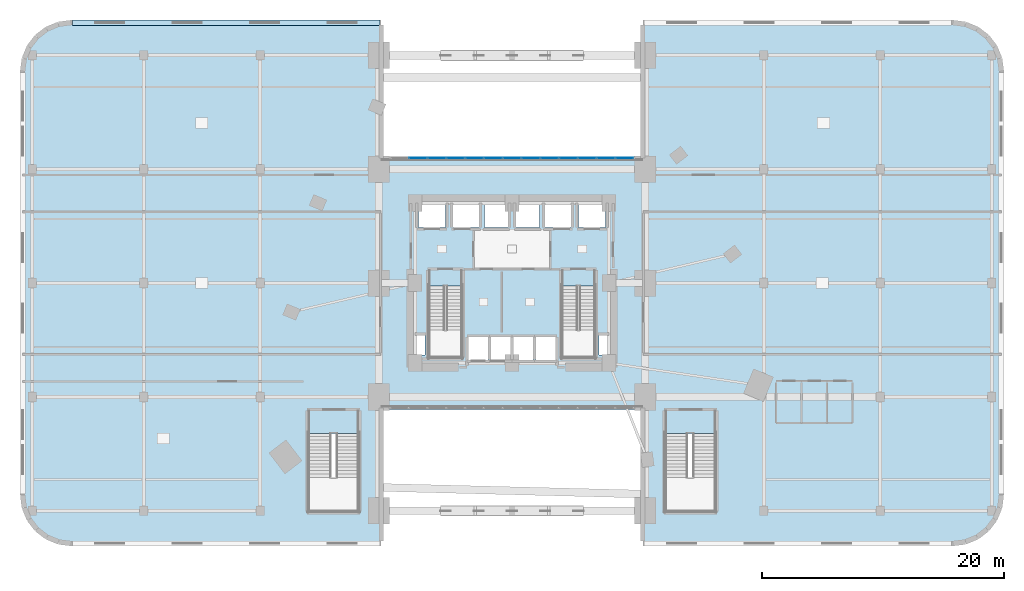
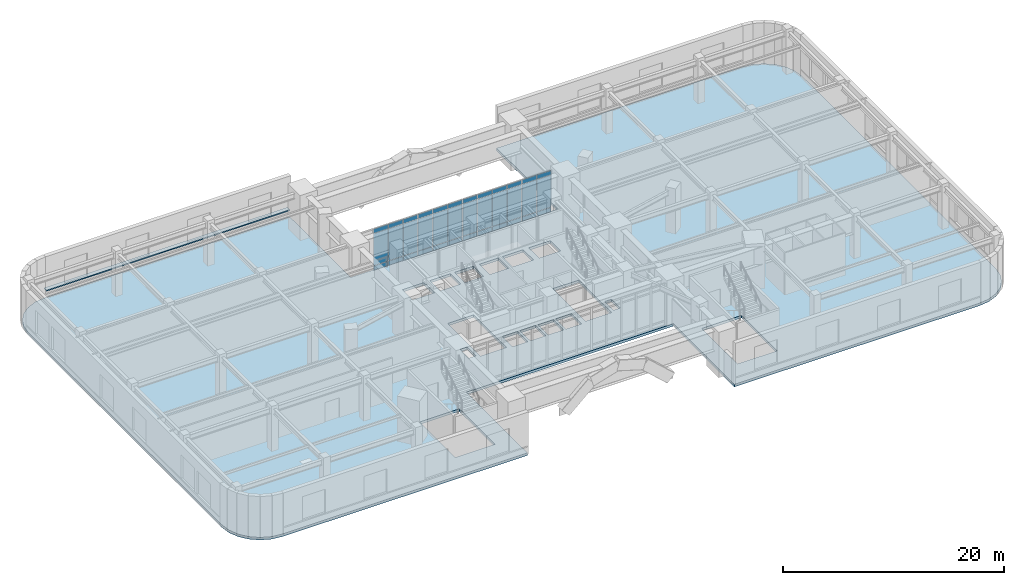
# One storey, part 17 of 25: 37 plates, 1 slab, 1 element without a shape of its own.
"""IFC4 building model written with IfcOpenShell, lengths in metres."""

from ifc_helpers import new_model, si_unit, direction, frame, origin, origin_2d, place, context, subcontext, project, spatial, polyline, rectangle, outline, extrude, material, layer, layer_set, type_object, element, aggregate, save


model = new_model("IFC4")

# Units and contexts
model_context = context("Model", 3, precision=1e-05, world=origin(), true_north=direction((0.0, 1.0)))
body_context = subcontext(model_context, "Body", "Model", "MODEL_VIEW")
ifc_project = project(units=[si_unit("LENGTHUNIT", "METRE"), si_unit("AREAUNIT", "SQUARE_METRE"), si_unit("VOLUMEUNIT", "CUBIC_METRE"), si_unit("PLANEANGLEUNIT", "RADIAN"), si_unit("MASSUNIT", "GRAM", prefix="KILO")], contexts=[model_context])

# Site, building, storey
site_placement = place(None, origin())
site = spatial("IfcSite", under=ifc_project, at=site_placement, CompositionType="ELEMENT")
building_placement = place(site_placement, origin())
building = spatial("IfcBuilding", under=site, at=building_placement, Name="Ndelora Gate Hotel", CompositionType="ELEMENT")
storey_placement = place(building_placement, frame((0.0, 0.0, 11.0)))
storey = spatial("IfcBuildingStorey", under=building, at=storey_placement, Name="L02", CompositionType="ELEMENT", Elevation=11.0)

# Curtain wall, plates
ifc_material_1 = material(Name="Bronze Anodised Unitised Aluminium and Low-E Glass", Category="aluminium")
ifc_layer_1 = layer(ifc_material_1, 0.239990234375)
ifc_layer_set_1 = layer_set([ifc_layer_1], Name="Bronze Anodised Unitised Aluminium and Low-E Glass")
curtain_wall_type = type_object("IfcCurtainWallType", Name="CW-SYS-1", PredefinedType="NOTDEFINED", material=ifc_layer_set_1)
curtain_wall_placement = place(storey_placement, origin())
curtain_wall = element("IfcCurtainWall", 1, at=curtain_wall_placement, inside=storey, type_object=curtain_wall_type, Name="L02 North Portal Arch Concourse Curtain Wall CW1", PredefinedType="NOTDEFINED")
ifc_material_2 = material(Name="Solar-Control Low-E Insulated Glazing", Category="glass")
ifc_layer_2 = layer(ifc_material_2, 0.048095703125)
ifc_layer_set_2 = layer_set([ifc_layer_2], Name="Solar-Control Low-E Insulated Glazing")
plate_type_1 = type_object("IfcPlateType", Name="PL-CW-GLZ36", PredefinedType="CURTAIN_PANEL", material=ifc_layer_set_2)
plate_1_placement = place(storey_placement, frame((9.287109375, 10.320068359375, 0.05908203125), z_axis=(0.0, 0.0, 1.0), x_axis=(-1.0, 0.0, 0.0)))
plate_1 = element("IfcPlate", 2, at=plate_1_placement, type_object=plate_type_1, Name="CW1 panel 1.1", PredefinedType="CURTAIN_PANEL", context=body_context, shape_type="SweptSolid", body=[
    extrude(rectangle(XDim=1.457763671875, YDim=0.048095703125, at=origin_2d()), origin(), (0.0, 0.0, 1.0), 0.464599609375),
])
plate_2_placement = place(storey_placement, frame((9.287109375, 10.320068359375, 0.57666015625), z_axis=(0.0, 0.0, 1.0), x_axis=(-1.0, 0.0, 0.0)))
plate_2 = element("IfcPlate", 3, at=plate_2_placement, type_object=plate_type_1, Name="CW1 panel 1.2", PredefinedType="CURTAIN_PANEL", context=body_context, shape_type="SweptSolid", body=[
    extrude(rectangle(XDim=1.457763671875, YDim=0.048095703125, at=origin_2d()), origin(), (0.0, 0.0, 1.0), 3.507080078125),
])
plate_3_placement = place(storey_placement, frame((9.287109375, 10.320068359375, 4.13623046875), z_axis=(0.0, 0.0, 1.0), x_axis=(-1.0, 0.0, 0.0)))
plate_3 = element("IfcPlate", 4, at=plate_3_placement, type_object=plate_type_1, Name="CW1 panel 1.3", PredefinedType="CURTAIN_PANEL", context=body_context, shape_type="SweptSolid", body=[
    extrude(rectangle(XDim=1.457763671875, YDim=0.048095703125, at=origin_2d()), origin(), (0.0, 0.0, 1.0), 0.464599609375),
])
plate_4_placement = place(storey_placement, frame((7.75390625, 10.320068359375, 0.05908203125), z_axis=(0.0, 0.0, 1.0), x_axis=(-1.0, 0.0, 0.0)))
plate_4 = element("IfcPlate", 5, at=plate_4_placement, type_object=plate_type_1, Name="CW1 panel 2.1", PredefinedType="CURTAIN_PANEL", context=body_context, shape_type="SweptSolid", body=[
    extrude(rectangle(XDim=1.49267578125, YDim=0.048095703125, at=origin_2d()), origin(), (0.0, 0.0, 1.0), 0.464599609375),
])
plate_5_placement = place(storey_placement, frame((7.75390625, 10.320068359375, 0.57666015625), z_axis=(0.0, 0.0, 1.0), x_axis=(-1.0, 0.0, 0.0)))
plate_5 = element("IfcPlate", 6, at=plate_5_placement, type_object=plate_type_1, Name="CW1 panel 2.2", PredefinedType="CURTAIN_PANEL", context=body_context, shape_type="SweptSolid", body=[
    extrude(rectangle(XDim=1.49267578125, YDim=0.048095703125, at=origin_2d()), origin(), (0.0, 0.0, 1.0), 3.507080078125),
])
plate_6_placement = place(storey_placement, frame((7.75390625, 10.320068359375, 4.13623046875), z_axis=(0.0, 0.0, 1.0), x_axis=(-1.0, 0.0, 0.0)))
plate_6 = element("IfcPlate", 7, at=plate_6_placement, type_object=plate_type_1, Name="CW1 panel 2.3", PredefinedType="CURTAIN_PANEL", context=body_context, shape_type="SweptSolid", body=[
    extrude(rectangle(XDim=1.49267578125, YDim=0.048095703125, at=origin_2d()), origin(), (0.0, 0.0, 1.0), 0.464599609375),
])
plate_7_placement = place(storey_placement, frame((6.203125, 10.320068359375, 0.05908203125), z_axis=(0.0, 0.0, 1.0), x_axis=(-1.0, 0.0, 0.0)))
plate_7 = element("IfcPlate", 8, at=plate_7_placement, type_object=plate_type_1, Name="CW1 panel 3.1", PredefinedType="CURTAIN_PANEL", context=body_context, shape_type="SweptSolid", body=[
    extrude(rectangle(XDim=1.49267578125, YDim=0.048095703125, at=origin_2d()), origin(), (0.0, 0.0, 1.0), 0.464599609375),
])
plate_8_placement = place(storey_placement, frame((6.203125, 10.320068359375, 0.57666015625), z_axis=(0.0, 0.0, 1.0), x_axis=(-1.0, 0.0, 0.0)))
plate_8 = element("IfcPlate", 9, at=plate_8_placement, type_object=plate_type_1, Name="CW1 panel 3.2", PredefinedType="CURTAIN_PANEL", context=body_context, shape_type="SweptSolid", body=[
    extrude(rectangle(XDim=1.49267578125, YDim=0.048095703125, at=origin_2d()), origin(), (0.0, 0.0, 1.0), 3.507080078125),
])
plate_9_placement = place(storey_placement, frame((6.203125, 10.320068359375, 4.13623046875), z_axis=(0.0, 0.0, 1.0), x_axis=(-1.0, 0.0, 0.0)))
plate_9 = element("IfcPlate", 10, at=plate_9_placement, type_object=plate_type_1, Name="CW1 panel 3.3", PredefinedType="CURTAIN_PANEL", context=body_context, shape_type="SweptSolid", body=[
    extrude(rectangle(XDim=1.49267578125, YDim=0.048095703125, at=origin_2d()), origin(), (0.0, 0.0, 1.0), 0.464599609375),
])
plate_10_placement = place(storey_placement, frame((4.65234375, 10.320068359375, 0.05908203125), z_axis=(0.0, 0.0, 1.0), x_axis=(-1.0, 0.0, 0.0)))
plate_10 = element("IfcPlate", 11, at=plate_10_placement, type_object=plate_type_1, Name="CW1 panel 4.1", PredefinedType="CURTAIN_PANEL", context=body_context, shape_type="SweptSolid", body=[
    extrude(rectangle(XDim=1.49267578125, YDim=0.048095703125, at=origin_2d()), origin(), (0.0, 0.0, 1.0), 0.464599609375),
])
plate_11_placement = place(storey_placement, frame((4.65234375, 10.320068359375, 0.57666015625), z_axis=(0.0, 0.0, 1.0), x_axis=(-1.0, 0.0, 0.0)))
plate_11 = element("IfcPlate", 12, at=plate_11_placement, type_object=plate_type_1, Name="CW1 panel 4.2", PredefinedType="CURTAIN_PANEL", context=body_context, shape_type="SweptSolid", body=[
    extrude(rectangle(XDim=1.49267578125, YDim=0.048095703125, at=origin_2d()), origin(), (0.0, 0.0, 1.0), 3.507080078125),
])
plate_12_placement = place(storey_placement, frame((4.65234375, 10.320068359375, 4.13623046875), z_axis=(0.0, 0.0, 1.0), x_axis=(-1.0, 0.0, 0.0)))
plate_12 = element("IfcPlate", 13, at=plate_12_placement, type_object=plate_type_1, Name="CW1 panel 4.3", PredefinedType="CURTAIN_PANEL", context=body_context, shape_type="SweptSolid", body=[
    extrude(rectangle(XDim=1.49267578125, YDim=0.048095703125, at=origin_2d()), origin(), (0.0, 0.0, 1.0), 0.464599609375),
])
plate_13_placement = place(storey_placement, frame((3.1015625, 10.320068359375, 0.05908203125), z_axis=(0.0, 0.0, 1.0), x_axis=(-1.0, 0.0, 0.0)))
plate_13 = element("IfcPlate", 14, at=plate_13_placement, type_object=plate_type_1, Name="CW1 panel 5.1", PredefinedType="CURTAIN_PANEL", context=body_context, shape_type="SweptSolid", body=[
    extrude(rectangle(XDim=1.49267578125, YDim=0.048095703125, at=origin_2d()), origin(), (0.0, 0.0, 1.0), 0.464599609375),
])
plate_14_placement = place(storey_placement, frame((3.1015625, 10.320068359375, 0.57666015625), z_axis=(0.0, 0.0, 1.0), x_axis=(-1.0, 0.0, 0.0)))
plate_14 = element("IfcPlate", 15, at=plate_14_placement, type_object=plate_type_1, Name="CW1 panel 5.2", PredefinedType="CURTAIN_PANEL", context=body_context, shape_type="SweptSolid", body=[
    extrude(rectangle(XDim=1.49267578125, YDim=0.048095703125, at=origin_2d()), origin(), (0.0, 0.0, 1.0), 3.507080078125),
])
plate_15_placement = place(storey_placement, frame((3.1015625, 10.320068359375, 4.13623046875), z_axis=(0.0, 0.0, 1.0), x_axis=(-1.0, 0.0, 0.0)))
plate_15 = element("IfcPlate", 16, at=plate_15_placement, type_object=plate_type_1, Name="CW1 panel 5.3", PredefinedType="CURTAIN_PANEL", context=body_context, shape_type="SweptSolid", body=[
    extrude(rectangle(XDim=1.49267578125, YDim=0.048095703125, at=origin_2d()), origin(), (0.0, 0.0, 1.0), 0.464599609375),
])
plate_16_placement = place(storey_placement, frame((1.55078125, 10.320068359375, 0.05908203125), z_axis=(0.0, 0.0, 1.0), x_axis=(-1.0, 0.0, 0.0)))
plate_16 = element("IfcPlate", 17, at=plate_16_placement, type_object=plate_type_1, Name="CW1 panel 6.1", PredefinedType="CURTAIN_PANEL", context=body_context, shape_type="SweptSolid", body=[
    extrude(rectangle(XDim=1.49267578125, YDim=0.048095703125, at=origin_2d()), origin(), (0.0, 0.0, 1.0), 0.464599609375),
])
plate_17_placement = place(storey_placement, frame((1.55078125, 10.320068359375, 0.57666015625), z_axis=(0.0, 0.0, 1.0), x_axis=(-1.0, 0.0, 0.0)))
plate_17 = element("IfcPlate", 18, at=plate_17_placement, type_object=plate_type_1, Name="CW1 panel 6.2", PredefinedType="CURTAIN_PANEL", context=body_context, shape_type="SweptSolid", body=[
    extrude(rectangle(XDim=1.49267578125, YDim=0.048095703125, at=origin_2d()), origin(), (0.0, 0.0, 1.0), 3.507080078125),
])
plate_18_placement = place(storey_placement, frame((1.55078125, 10.320068359375, 4.13623046875), z_axis=(0.0, 0.0, 1.0), x_axis=(-1.0, 0.0, 0.0)))
plate_18 = element("IfcPlate", 19, at=plate_18_placement, type_object=plate_type_1, Name="CW1 panel 6.3", PredefinedType="CURTAIN_PANEL", context=body_context, shape_type="SweptSolid", body=[
    extrude(rectangle(XDim=1.49267578125, YDim=0.048095703125, at=origin_2d()), origin(), (0.0, 0.0, 1.0), 0.464599609375),
])
plate_19_placement = place(storey_placement, frame((0.0, 10.320068359375, 0.05908203125), z_axis=(0.0, 0.0, 1.0), x_axis=(-1.0, 0.0, 0.0)))
plate_19 = element("IfcPlate", 20, at=plate_19_placement, type_object=plate_type_1, Name="CW1 panel 7.1", PredefinedType="CURTAIN_PANEL", context=body_context, shape_type="SweptSolid", body=[
    extrude(rectangle(XDim=1.49267578125, YDim=0.048095703125, at=origin_2d()), origin(), (0.0, 0.0, 1.0), 0.464599609375),
])
plate_20_placement = place(storey_placement, frame((0.0, 10.320068359375, 0.57666015625), z_axis=(0.0, 0.0, 1.0), x_axis=(-1.0, 0.0, 0.0)))
plate_20 = element("IfcPlate", 21, at=plate_20_placement, type_object=plate_type_1, Name="CW1 panel 7.2", PredefinedType="CURTAIN_PANEL", context=body_context, shape_type="SweptSolid", body=[
    extrude(rectangle(XDim=1.49267578125, YDim=0.048095703125, at=origin_2d()), origin(), (0.0, 0.0, 1.0), 3.507080078125),
])
plate_21_placement = place(storey_placement, frame((0.0, 10.320068359375, 4.13623046875), z_axis=(0.0, 0.0, 1.0), x_axis=(-1.0, 0.0, 0.0)))
plate_21 = element("IfcPlate", 22, at=plate_21_placement, type_object=plate_type_1, Name="CW1 panel 7.3", PredefinedType="CURTAIN_PANEL", context=body_context, shape_type="SweptSolid", body=[
    extrude(rectangle(XDim=1.49267578125, YDim=0.048095703125, at=origin_2d()), origin(), (0.0, 0.0, 1.0), 0.464599609375),
])
plate_22_placement = place(storey_placement, frame((-1.55078125, 10.320068359375, 0.05908203125), z_axis=(0.0, 0.0, 1.0), x_axis=(-1.0, 0.0, 0.0)))
plate_22 = element("IfcPlate", 23, at=plate_22_placement, type_object=plate_type_1, Name="CW1 panel 8.1", PredefinedType="CURTAIN_PANEL", context=body_context, shape_type="SweptSolid", body=[
    extrude(rectangle(XDim=1.49267578125, YDim=0.048095703125, at=origin_2d()), origin(), (0.0, 0.0, 1.0), 0.464599609375),
])
plate_23_placement = place(storey_placement, frame((-1.55078125, 10.320068359375, 0.57666015625), z_axis=(0.0, 0.0, 1.0), x_axis=(-1.0, 0.0, 0.0)))
plate_23 = element("IfcPlate", 24, at=plate_23_placement, type_object=plate_type_1, Name="CW1 panel 8.2", PredefinedType="CURTAIN_PANEL", context=body_context, shape_type="SweptSolid", body=[
    extrude(rectangle(XDim=1.49267578125, YDim=0.048095703125, at=origin_2d()), origin(), (0.0, 0.0, 1.0), 3.507080078125),
])
plate_24_placement = place(storey_placement, frame((-1.55078125, 10.320068359375, 4.13623046875), z_axis=(0.0, 0.0, 1.0), x_axis=(-1.0, 0.0, 0.0)))
plate_24 = element("IfcPlate", 25, at=plate_24_placement, type_object=plate_type_1, Name="CW1 panel 8.3", PredefinedType="CURTAIN_PANEL", context=body_context, shape_type="SweptSolid", body=[
    extrude(rectangle(XDim=1.49267578125, YDim=0.048095703125, at=origin_2d()), origin(), (0.0, 0.0, 1.0), 0.464599609375),
])
plate_25_placement = place(storey_placement, frame((-3.1015625, 10.320068359375, 0.05908203125), z_axis=(0.0, 0.0, 1.0), x_axis=(-1.0, 0.0, 0.0)))
plate_25 = element("IfcPlate", 26, at=plate_25_placement, type_object=plate_type_1, Name="CW1 panel 9.1", PredefinedType="CURTAIN_PANEL", context=body_context, shape_type="SweptSolid", body=[
    extrude(rectangle(XDim=1.49267578125, YDim=0.048095703125, at=origin_2d()), origin(), (0.0, 0.0, 1.0), 0.464599609375),
])
plate_26_placement = place(storey_placement, frame((-3.1015625, 10.320068359375, 0.57666015625), z_axis=(0.0, 0.0, 1.0), x_axis=(-1.0, 0.0, 0.0)))
plate_26 = element("IfcPlate", 27, at=plate_26_placement, type_object=plate_type_1, Name="CW1 panel 9.2", PredefinedType="CURTAIN_PANEL", context=body_context, shape_type="SweptSolid", body=[
    extrude(rectangle(XDim=1.49267578125, YDim=0.048095703125, at=origin_2d()), origin(), (0.0, 0.0, 1.0), 3.507080078125),
])
plate_27_placement = place(storey_placement, frame((-3.1015625, 10.320068359375, 4.13623046875), z_axis=(0.0, 0.0, 1.0), x_axis=(-1.0, 0.0, 0.0)))
plate_27 = element("IfcPlate", 28, at=plate_27_placement, type_object=plate_type_1, Name="CW1 panel 9.3", PredefinedType="CURTAIN_PANEL", context=body_context, shape_type="SweptSolid", body=[
    extrude(rectangle(XDim=1.49267578125, YDim=0.048095703125, at=origin_2d()), origin(), (0.0, 0.0, 1.0), 0.464599609375),
])
plate_28_placement = place(storey_placement, frame((-4.65234375, 10.320068359375, 0.05908203125), z_axis=(0.0, 0.0, 1.0), x_axis=(-1.0, 0.0, 0.0)))
plate_28 = element("IfcPlate", 29, at=plate_28_placement, type_object=plate_type_1, Name="CW1 panel 10.1", PredefinedType="CURTAIN_PANEL", context=body_context, shape_type="SweptSolid", body=[
    extrude(rectangle(XDim=1.49267578125, YDim=0.048095703125, at=origin_2d()), origin(), (0.0, 0.0, 1.0), 0.464599609375),
])
plate_29_placement = place(storey_placement, frame((-4.65234375, 10.320068359375, 0.57666015625), z_axis=(0.0, 0.0, 1.0), x_axis=(-1.0, 0.0, 0.0)))
plate_29 = element("IfcPlate", 30, at=plate_29_placement, type_object=plate_type_1, Name="CW1 panel 10.2", PredefinedType="CURTAIN_PANEL", context=body_context, shape_type="SweptSolid", body=[
    extrude(rectangle(XDim=1.49267578125, YDim=0.048095703125, at=origin_2d()), origin(), (0.0, 0.0, 1.0), 3.507080078125),
])
plate_30_placement = place(storey_placement, frame((-4.65234375, 10.320068359375, 4.13623046875), z_axis=(0.0, 0.0, 1.0), x_axis=(-1.0, 0.0, 0.0)))
plate_30 = element("IfcPlate", 31, at=plate_30_placement, type_object=plate_type_1, Name="CW1 panel 10.3", PredefinedType="CURTAIN_PANEL", context=body_context, shape_type="SweptSolid", body=[
    extrude(rectangle(XDim=1.49267578125, YDim=0.048095703125, at=origin_2d()), origin(), (0.0, 0.0, 1.0), 0.464599609375),
])
plate_31_placement = place(storey_placement, frame((-6.203125, 10.320068359375, 0.05908203125), z_axis=(0.0, 0.0, 1.0), x_axis=(-1.0, 0.0, 0.0)))
plate_31 = element("IfcPlate", 32, at=plate_31_placement, type_object=plate_type_1, Name="CW1 panel 11.1", PredefinedType="CURTAIN_PANEL", context=body_context, shape_type="SweptSolid", body=[
    extrude(rectangle(XDim=1.49267578125, YDim=0.048095703125, at=origin_2d()), origin(), (0.0, 0.0, 1.0), 0.464599609375),
])
plate_32_placement = place(storey_placement, frame((-6.203125, 10.320068359375, 0.57666015625), z_axis=(0.0, 0.0, 1.0), x_axis=(-1.0, 0.0, 0.0)))
plate_32 = element("IfcPlate", 33, at=plate_32_placement, type_object=plate_type_1, Name="CW1 panel 11.2", PredefinedType="CURTAIN_PANEL", context=body_context, shape_type="SweptSolid", body=[
    extrude(rectangle(XDim=1.49267578125, YDim=0.048095703125, at=origin_2d()), origin(), (0.0, 0.0, 1.0), 3.507080078125),
])
plate_33_placement = place(storey_placement, frame((-6.203125, 10.320068359375, 4.13623046875), z_axis=(0.0, 0.0, 1.0), x_axis=(-1.0, 0.0, 0.0)))
plate_33 = element("IfcPlate", 34, at=plate_33_placement, type_object=plate_type_1, Name="CW1 panel 11.3", PredefinedType="CURTAIN_PANEL", context=body_context, shape_type="SweptSolid", body=[
    extrude(rectangle(XDim=1.49267578125, YDim=0.048095703125, at=origin_2d()), origin(), (0.0, 0.0, 1.0), 0.464599609375),
])
plate_34_placement = place(storey_placement, frame((-7.75390625, 10.320068359375, 0.05908203125), z_axis=(0.0, 0.0, 1.0), x_axis=(-1.0, 0.0, 0.0)))
plate_34 = element("IfcPlate", 35, at=plate_34_placement, type_object=plate_type_1, Name="CW1 panel 12.1", PredefinedType="CURTAIN_PANEL", context=body_context, shape_type="SweptSolid", body=[
    extrude(rectangle(XDim=1.49267578125, YDim=0.048095703125, at=origin_2d()), origin(), (0.0, 0.0, 1.0), 0.464599609375),
])
plate_35_placement = place(storey_placement, frame((-7.75390625, 10.320068359375, 0.57666015625), z_axis=(0.0, 0.0, 1.0), x_axis=(-1.0, 0.0, 0.0)))
plate_35 = element("IfcPlate", 36, at=plate_35_placement, type_object=plate_type_1, Name="CW1 panel 12.2", PredefinedType="CURTAIN_PANEL", context=body_context, shape_type="SweptSolid", body=[
    extrude(rectangle(XDim=1.49267578125, YDim=0.048095703125, at=origin_2d()), origin(), (0.0, 0.0, 1.0), 3.507080078125),
])
plate_36_placement = place(storey_placement, frame((-7.75390625, 10.320068359375, 4.13623046875), z_axis=(0.0, 0.0, 1.0), x_axis=(-1.0, 0.0, 0.0)))
plate_36 = element("IfcPlate", 37, at=plate_36_placement, type_object=plate_type_1, Name="CW1 panel 12.3", PredefinedType="CURTAIN_PANEL", context=body_context, shape_type="SweptSolid", body=[
    extrude(rectangle(XDim=1.49267578125, YDim=0.048095703125, at=origin_2d()), origin(), (0.0, 0.0, 1.0), 0.464599609375),
])
aggregate(curtain_wall, [plate_1, plate_2, plate_3, plate_4, plate_5, plate_6, plate_7, plate_8, plate_9, plate_10, plate_11, plate_12, plate_13, plate_14, plate_15, plate_16, plate_17, plate_18, plate_19, plate_20, plate_21, plate_22, plate_23, plate_24, plate_25, plate_26, plate_27, plate_28, plate_29, plate_30, plate_31, plate_32, plate_33, plate_34, plate_35, plate_36])

# Plate
ifc_material_3 = material(Name="Precast concrete C40/50", Category="concrete")
ifc_layer_3 = layer(ifc_material_3, 0.125)
ifc_layer_set_3 = layer_set([ifc_layer_3], Name="Precast concrete C40/50")
plate_type_2 = type_object("IfcPlateType", Name="PL-SILL-120", PredefinedType="USERDEFINED", material=ifc_layer_set_3)
plate_37_placement = place(storey_placement, frame((-23.60009765625, 21.5, 0.8173828125), z_axis=(0.0, 0.0, 1.0), x_axis=(1.0, 0.0, 0.0)))
element("IfcPlate", 38, at=plate_37_placement, inside=storey, type_object=plate_type_2, Name="L02 Precast Concrete Ribbon Sill Band 14", ObjectType="RIBBON_SILL", PredefinedType="USERDEFINED", context=body_context, shape_type="SweptSolid", body=[
    extrude(rectangle(XDim=25.39990234375, YDim=0.43994140625, at=origin_2d()), origin(), (0.0, 0.0, 1.0), 0.125),
])

# Slab
ifc_material_4 = material(Name="Concrete C40/50", Category="concrete")
ifc_layer_4 = layer(ifc_material_4, 0.280029296875)
ifc_layer_set_4 = layer_set([ifc_layer_4], Name="Concrete C40/50")
slab_type = type_object("IfcSlabType", Name="SL-POD-280", PredefinedType="FLOOR", material=ifc_layer_set_4)
slab_placement = place(storey_placement, frame((0.0, 0.0, -0.280029296875)))
element("IfcSlab", 39, at=slab_placement, inside=storey, type_object=slab_type, Name="L02 Portal Arch Flanking Podium Slab", PredefinedType="FLOOR", context=body_context, shape_type="SweptSolid", body=[
    extrude(outline(polyline([(-36.39990234375, -21.5), (-10.800048828125, -21.5), (-10.800048828125, -10.449951171875), (10.800048828125, -10.449951171875), (10.800048828125, -21.5), (36.39990234375, -21.5), (37.435302734375, -21.36376953125), (38.39990234375, -20.964111328125), (39.228515625, -20.328369140625), (39.864013671875, -19.5), (40.263671875, -18.535400390625), (40.39990234375, -17.5), (40.39990234375, 17.5), (40.263671875, 18.535400390625), (39.864013671875, 19.5), (39.228515625, 20.328369140625), (38.39990234375, 20.964111328125), (37.435302734375, 21.36376953125), (36.39990234375, 21.5), (10.800048828125, 21.5), (10.800048828125, 10.449951171875), (-10.800048828125, 10.449951171875), (-10.800048828125, 21.5), (-36.39990234375, 21.5), (-37.435302734375, 21.36376953125), (-38.39990234375, 20.964111328125), (-39.228515625, 20.328369140625), (-39.864013671875, 19.5), (-40.263671875, 18.535400390625), (-40.39990234375, 17.5), (-40.39990234375, -17.5), (-40.263671875, -18.535400390625), (-39.864013671875, -19.5), (-39.228515625, -20.328369140625), (-38.39990234375, -20.964111328125), (-37.435302734375, -21.36376953125), (-36.39990234375, -21.5)]), holes=[polyline([(-6.85009765625, -0.22998046875), (-6.85009765625, -6.14990234375), (-4.1298828125, -6.14990234375), (-4.1298828125, -0.22998046875), (-6.85009765625, -0.22998046875)]), polyline([(4.1298828125, -0.22998046875), (4.1298828125, -6.14990234375), (6.85009765625, -6.14990234375), (6.85009765625, -0.22998046875), (4.1298828125, -0.22998046875)]), polyline([(-16.800048828125, -12.39990234375), (-16.800048828125, -18.85009765625), (-12.659912109375, -18.85009765625), (-12.659912109375, -12.39990234375), (-16.800048828125, -12.39990234375)]), polyline([(12.659912109375, -12.39990234375), (12.659912109375, -18.85009765625), (16.800048828125, -18.85009765625), (16.800048828125, -12.39990234375), (12.659912109375, -12.39990234375)]), polyline([(-7.72998046875, 4.570068359375), (-5.469970703125, 4.570068359375), (-5.469970703125, 6.429931640625), (-7.72998046875, 6.429931640625), (-7.72998046875, 4.570068359375)]), polyline([(5.469970703125, 4.570068359375), (7.72998046875, 4.570068359375), (7.72998046875, 6.429931640625), (5.469970703125, 6.429931640625), (5.469970703125, 4.570068359375)]), polyline([(-4.8798828125, 4.570068359375), (-2.719970703125, 4.570068359375), (-2.719970703125, 6.429931640625), (-4.8798828125, 6.429931640625), (-4.8798828125, 4.570068359375)]), polyline([(2.719970703125, 4.570068359375), (4.8798828125, 4.570068359375), (4.8798828125, 6.429931640625), (2.719970703125, 6.429931640625), (2.719970703125, 4.570068359375)]), polyline([(-3.60009765625, -6.330078125), (-1.97998046875, -6.330078125), (-1.97998046875, -4.469970703125), (-3.60009765625, -4.469970703125), (-3.60009765625, -6.330078125)]), polyline([(-1.739990234375, -6.330078125), (-0.1201171875, -6.330078125), (-0.1201171875, -4.469970703125), (-1.739990234375, -4.469970703125), (-1.739990234375, -6.330078125)]), polyline([(0.1201171875, -6.330078125), (1.739990234375, -6.330078125), (1.739990234375, -4.469970703125), (0.1201171875, -4.469970703125), (0.1201171875, -6.330078125)]), polyline([(1.97998046875, -6.330078125), (3.60009765625, -6.330078125), (3.60009765625, -4.469970703125), (1.97998046875, -4.469970703125), (1.97998046875, -6.330078125)]), polyline([(-2.280029296875, 4.570068359375), (-0.320068359375, 4.570068359375), (-0.320068359375, 6.429931640625), (-2.280029296875, 6.429931640625), (-2.280029296875, 4.570068359375)]), polyline([(0.320068359375, 4.570068359375), (2.280029296875, 4.570068359375), (2.280029296875, 6.429931640625), (0.320068359375, 6.429931640625), (0.320068359375, 4.570068359375)]), polyline([(-7.89990234375, -5.919921875), (-7.179931640625, -5.919921875), (-7.179931640625, -4.320068359375), (-7.89990234375, -4.320068359375), (-7.89990234375, -5.919921875)]), polyline([(7.179931640625, -5.919921875), (7.89990234375, -5.919921875), (7.89990234375, -4.320068359375), (7.179931640625, -4.320068359375), (7.179931640625, -5.919921875)])]), origin(), (0.0, 0.0, 1.0), 0.280029296875),
])

save(model, "model.ifc")
